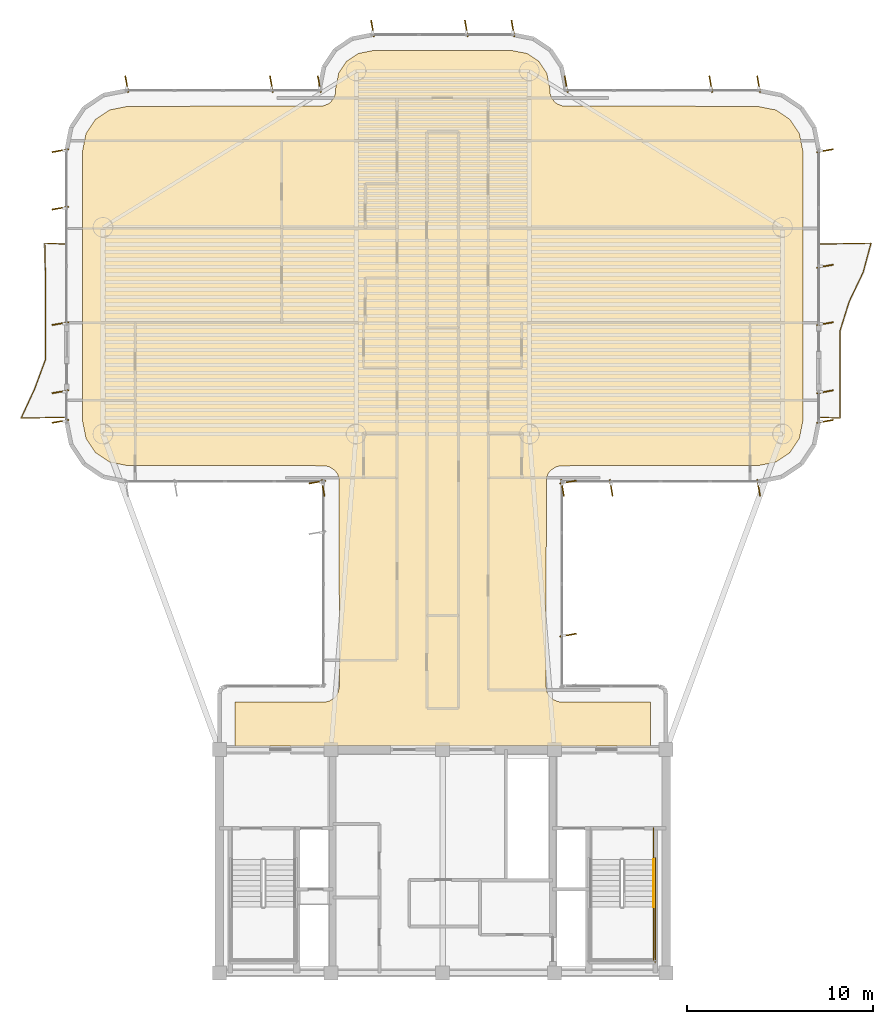
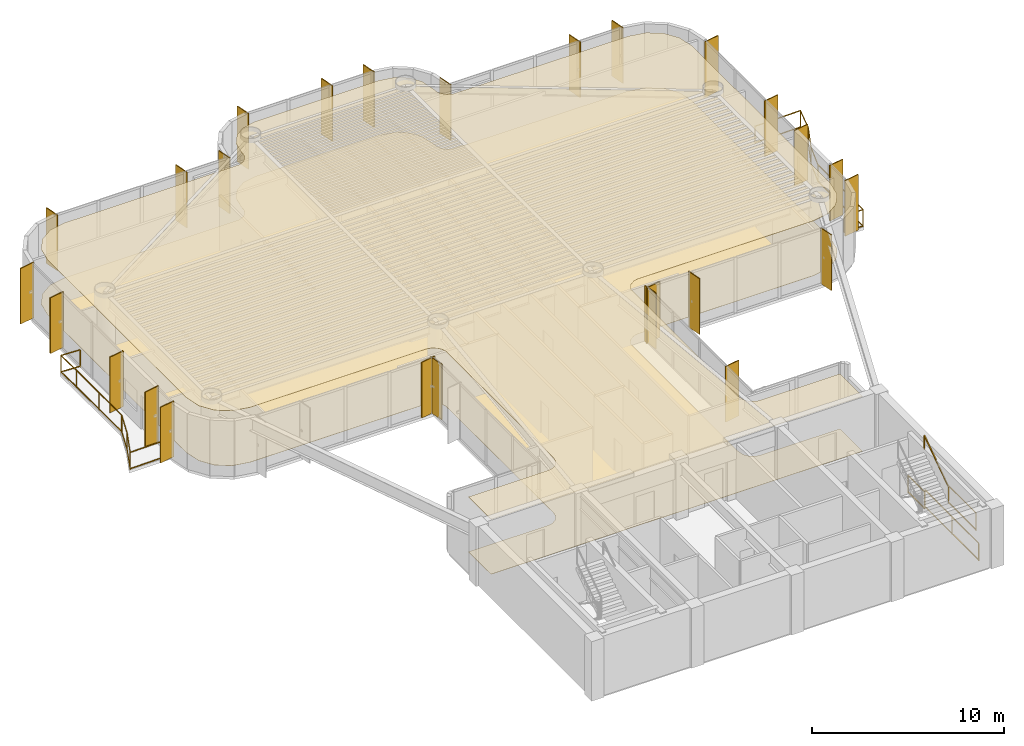
# One storey, part 14 of 14: 26 shading devices, 6 railings, 2 coverings.
"""IFC4 building model written with IfcOpenShell, lengths in metres."""

from ifc_helpers import new_model, si_unit, direction, frame, origin, origin_2d, place, context, subcontext, project, spatial, polyline, rectangle, outline, extrude, source, transform, mapped, material, layer, layer_set, material_profile, profile_set, type_object, element, save


model = new_model("IFC4")

# Units and contexts
model_context = context("Model", 3, precision=1e-05, world=origin(), true_north=direction((0.0, 1.0)))
body_context = subcontext(model_context, "Body", "Model", "MODEL_VIEW")
ifc_project = project(units=[si_unit("LENGTHUNIT", "METRE"), si_unit("AREAUNIT", "SQUARE_METRE"), si_unit("VOLUMEUNIT", "CUBIC_METRE"), si_unit("PLANEANGLEUNIT", "RADIAN"), si_unit("MASSUNIT", "GRAM", prefix="KILO")], contexts=[model_context])

# Site, building, storey
site_placement = place(None, origin())
site = spatial("IfcSite", under=ifc_project, at=site_placement, CompositionType="ELEMENT")
building_placement = place(site_placement, origin())
building = spatial("IfcBuilding", under=site, at=building_placement, Name="Brelvock Crest Care Tower", CompositionType="ELEMENT")
storey_placement = place(building_placement, frame((0.0, 0.0, 205.56005859375)))
storey = spatial("IfcBuildingStorey", under=building, at=storey_placement, Name="L52", CompositionType="ELEMENT", Elevation=205.56005859375)

# Coverings
ifc_material_1 = material(Name="Mineral Fibre Acoustic Ceiling Tile", Category="gypsum")
ifc_layer_1 = layer(ifc_material_1, 0.02490234375, Name="COV-CLG1")
ifc_layer_set_1 = layer_set([ifc_layer_1], Name="Mineral Fibre Acoustic Ceiling Tile")
covering_type_1 = type_object("IfcCoveringType", Name="COV-CLG1", PredefinedType="CEILING", material=ifc_layer_set_1)
covering_1_placement = place(storey_placement, frame((0.0, 0.0, 3.474853515625)))
element("IfcCovering", 1, at=covering_1_placement, inside=storey, type_object=covering_type_1, Name="L52 Acoustic Suspended Ceiling 1", PredefinedType="CEILING", context=body_context, shape_type="SweptSolid", body=[
    extrude(outline(polyline([(24.85009765625, 18.199951171875), (47.14990234375, 18.199951171875), (47.14990234375, 20.550048828125), (42.316650390625, 20.55419921875), (42.1533203125, 20.586669921875), (41.927734375, 20.693359375), (41.742919921875, 20.86083984375), (41.61474609375, 21.07470703125), (41.550048828125, 21.39990234375), (41.56640625, 32.56591796875), (41.650390625, 32.80078125), (41.799072265625, 33.0009765625), (42.07470703125, 33.185302734375), (42.316650390625, 33.245849609375), (52.916259765625, 33.25), (53.892822265625, 33.4443359375), (54.64990234375, 33.9501953125), (55.15576171875, 34.70703125), (55.35009765625, 35.68359375), (55.35009765625, 50.1162109375), (55.15576171875, 51.093017578125), (54.64990234375, 51.849853515625), (53.892822265625, 52.355712890625), (52.916259765625, 52.550048828125), (42.43408203125, 52.56640625), (42.127685546875, 52.693359375), (41.9990234375, 52.799072265625), (41.850341796875, 52.999267578125), (41.766357421875, 53.234130859375), (41.75, 53.516357421875), (41.586181640625, 54.33984375), (41.1669921875, 54.967041015625), (40.539794921875, 55.38623046875), (39.71630859375, 55.550048828125), (32.28369140625, 55.550048828125), (31.460205078125, 55.38623046875), (30.8330078125, 54.967041015625), (30.413818359375, 54.33984375), (30.25, 53.516357421875), (30.233642578125, 53.234130859375), (30.149658203125, 52.999267578125), (30.0009765625, 52.799072265625), (29.872314453125, 52.693359375), (29.56591796875, 52.56640625), (19.083740234375, 52.550048828125), (18.107177734375, 52.355712890625), (17.35009765625, 51.849853515625), (16.84423828125, 51.093017578125), (16.64990234375, 50.1162109375), (16.64990234375, 35.68359375), (16.84423828125, 34.70703125), (17.35009765625, 33.9501953125), (18.107177734375, 33.4443359375), (19.083740234375, 33.25), (29.683349609375, 33.245849609375), (29.92529296875, 33.185302734375), (30.200927734375, 33.0009765625), (30.349609375, 32.80078125), (30.43359375, 32.56591796875), (30.449951171875, 21.39990234375), (30.38525390625, 21.07470703125), (30.257080078125, 20.86083984375), (30.13916015625, 20.742919921875), (29.92529296875, 20.61474609375), (29.683349609375, 20.55419921875), (24.85009765625, 20.550048828125), (24.85009765625, 18.199951171875)])), origin(), (0.0, 0.0, 1.0), 0.025146484375),
])
ifc_material_2 = material(Name="Slip-Resistant Acoustic Vinyl Flooring", Category="finish")
ifc_layer_2 = layer(ifc_material_2, 0.014892578125, Name="COV-FLR1")
ifc_layer_set_2 = layer_set([ifc_layer_2], Name="Slip-Resistant Acoustic Vinyl Flooring")
covering_type_2 = type_object("IfcCoveringType", Name="COV-FLR1", PredefinedType="FLOORING", material=ifc_layer_set_2)
covering_2_placement = place(storey_placement, origin())
element("IfcCovering", 2, at=covering_2_placement, inside=storey, type_object=covering_type_2, Name="L52 Slip-Resistant Acoustic Flooring 1", PredefinedType="FLOORING", context=body_context, shape_type="SweptSolid", body=[
    extrude(outline(polyline([(24.85009765625, 18.199951171875), (47.14990234375, 18.199951171875), (47.14990234375, 20.550048828125), (42.316650390625, 20.55419921875), (42.1533203125, 20.586669921875), (41.927734375, 20.693359375), (41.742919921875, 20.86083984375), (41.61474609375, 21.07470703125), (41.550048828125, 21.39990234375), (41.56640625, 32.56591796875), (41.650390625, 32.80078125), (41.799072265625, 33.0009765625), (42.07470703125, 33.185302734375), (42.316650390625, 33.245849609375), (52.916259765625, 33.25), (53.892822265625, 33.4443359375), (54.64990234375, 33.9501953125), (55.15576171875, 34.70703125), (55.35009765625, 35.68359375), (55.35009765625, 50.1162109375), (55.15576171875, 51.093017578125), (54.64990234375, 51.849853515625), (53.892822265625, 52.355712890625), (52.916259765625, 52.550048828125), (42.43408203125, 52.56640625), (42.127685546875, 52.693359375), (41.9990234375, 52.799072265625), (41.850341796875, 52.999267578125), (41.766357421875, 53.234130859375), (41.75, 53.516357421875), (41.586181640625, 54.33984375), (41.1669921875, 54.967041015625), (40.539794921875, 55.38623046875), (39.71630859375, 55.550048828125), (32.28369140625, 55.550048828125), (31.460205078125, 55.38623046875), (30.8330078125, 54.967041015625), (30.413818359375, 54.33984375), (30.25, 53.516357421875), (30.233642578125, 53.234130859375), (30.149658203125, 52.999267578125), (30.0009765625, 52.799072265625), (29.872314453125, 52.693359375), (29.56591796875, 52.56640625), (19.083740234375, 52.550048828125), (18.107177734375, 52.355712890625), (17.35009765625, 51.849853515625), (16.84423828125, 51.093017578125), (16.64990234375, 50.1162109375), (16.64990234375, 35.68359375), (16.84423828125, 34.70703125), (17.35009765625, 33.9501953125), (18.107177734375, 33.4443359375), (19.083740234375, 33.25), (29.683349609375, 33.245849609375), (29.92529296875, 33.185302734375), (30.200927734375, 33.0009765625), (30.349609375, 32.80078125), (30.43359375, 32.56591796875), (30.449951171875, 21.39990234375), (30.38525390625, 21.07470703125), (30.257080078125, 20.86083984375), (30.13916015625, 20.742919921875), (29.92529296875, 20.61474609375), (29.683349609375, 20.55419921875), (24.85009765625, 20.550048828125), (24.85009765625, 18.199951171875)])), origin(), (0.0, 0.0, 1.0), 0.014892578125),
])

# Railings
ifc_material_3 = material(Name="Dark Glass Double Glazed Low-E", Category="glass")
ifc_layer_3 = layer(ifc_material_3, 0.06005859375, Name="RL-BAL1")
ifc_layer_set_3 = layer_set([ifc_layer_3], Name="Dark Glass Double Glazed Low-E")
railing_type_1 = type_object("IfcRailingType", Name="RL-BAL1", PredefinedType="BALUSTRADE", material=ifc_layer_set_3)
railing_1_placement = place(storey_placement, frame((15.760009765625, 35.85009765625, 0.00390625)))
element("IfcRailing", 3, at=railing_1_placement, inside=storey, type_object=railing_type_1, Name="L52 Safety Balustrade WB-W", PredefinedType="BALUSTRADE", context=body_context, shape_type="SweptSolid", body=[
    extrude(rectangle(XDim=0.048095703125, YDim=0.048095703125, at=origin_2d()), frame((-0.001953125, 0.0, 1.09619140625), z_axis=(-0.999783452903, -0.020809788592, 0.0), x_axis=(0.020809788592, -0.999783452903, 0.0)), (0.0, 0.0, 1.0), 2.401123046875),
    extrude(rectangle(XDim=0.048095703125, YDim=0.048095703125, at=origin_2d()), frame((-0.001953125, 0.0, 0.054931640625), z_axis=(-0.999783452903, -0.020809788592, 0.0), x_axis=(0.020809788592, -0.999783452903, 0.0)), (0.0, 0.0, 1.0), 2.401123046875),
    extrude(rectangle(XDim=0.048095703125, YDim=0.048095703125, at=origin_2d()), frame((-2.40380859375, -0.04833984375, 1.09619140625), z_axis=(0.42037583984, 0.907350072066, 0.0), x_axis=(-0.907350072066, 0.42037583984, 0.0)), (0.0, 0.0, 1.0), 1.72265625),
    extrude(rectangle(XDim=0.048095703125, YDim=0.048095703125, at=origin_2d()), frame((-2.40380859375, -0.04833984375, 0.054931640625), z_axis=(0.42037583984, 0.907350072066, 0.0), x_axis=(-0.907350072066, 0.42037583984, 0.0)), (0.0, 0.0, 1.0), 1.72265625),
    extrude(rectangle(XDim=0.048095703125, YDim=0.048095703125, at=origin_2d()), frame((-1.677978515625, 1.5185546875, 1.09619140625), z_axis=(0.346457206502, 0.938065778111, 0.0), x_axis=(-0.938065778111, 0.346457206502, 0.0)), (0.0, 0.0, 1.0), 1.666015625),
    extrude(rectangle(XDim=0.048095703125, YDim=0.048095703125, at=origin_2d()), frame((-1.677978515625, 1.5185546875, 0.054931640625), z_axis=(0.346457206502, 0.938065778111, 0.0), x_axis=(-0.938065778111, 0.346457206502, 0.0)), (0.0, 0.0, 1.0), 1.666015625),
    extrude(rectangle(XDim=0.048095703125, YDim=0.048095703125, at=origin_2d()), frame((-1.10009765625, 3.085205078125, 1.09619140625), z_axis=(0.0, 1.0, 0.0), x_axis=(-1.0, 0.0, 0.0)), (0.0, 0.0, 1.0), 4.696044921875),
    extrude(rectangle(XDim=0.048095703125, YDim=0.048095703125, at=origin_2d()), frame((-1.10009765625, 3.085205078125, 0.054931640625), z_axis=(0.0, 1.0, 0.0), x_axis=(-1.0, 0.0, 0.0)), (0.0, 0.0, 1.0), 4.696044921875),
    extrude(rectangle(XDim=0.048095703125, YDim=0.048095703125, at=origin_2d()), frame((-1.10009765625, 7.78515625, 1.09619140625), z_axis=(-0.022123304576, 0.999755249746, 0.0), x_axis=(-0.999755249746, -0.022123304576, 0.0)), (0.0, 0.0, 1.0), 1.56298828125),
    extrude(rectangle(XDim=0.048095703125, YDim=0.048095703125, at=origin_2d()), frame((-1.10009765625, 7.78515625, 0.054931640625), z_axis=(-0.022123304576, 0.999755249746, 0.0), x_axis=(-0.999755249746, -0.022123304576, 0.0)), (0.0, 0.0, 1.0), 1.56298828125),
    extrude(rectangle(XDim=0.048095703125, YDim=0.048095703125, at=origin_2d()), frame((-1.1328125, 9.349853515625, 1.09619140625), z_axis=(0.99902879157, -0.044062156255, 0.0), x_axis=(0.044062156255, 0.99902879157, 0.0)), (0.0, 0.0, 1.0), 1.1318359375),
    extrude(rectangle(XDim=0.048095703125, YDim=0.048095703125, at=origin_2d()), frame((-1.1328125, 9.349853515625, 0.054931640625), z_axis=(0.99902879157, -0.044062156255, 0.0), x_axis=(0.044062156255, 0.99902879157, 0.0)), (0.0, 0.0, 1.0), 1.1318359375),
    extrude(rectangle(XDim=0.0419921875, YDim=0.0419921875, at=origin_2d()), origin(), (0.0, 0.0, 1.0), 1.070068359375),
    extrude(rectangle(XDim=0.0419921875, YDim=0.0419921875, at=origin_2d()), frame((-2.404541015625, -0.050048828125, 0.0)), (0.0, 0.0, 1.0), 1.070068359375),
    extrude(rectangle(XDim=0.0419921875, YDim=0.0419921875, at=origin_2d()), frame((-1.6787109375, 1.5166015625, 0.0)), (0.0, 0.0, 1.0), 1.070068359375),
    extrude(rectangle(XDim=0.0419921875, YDim=0.0419921875, at=origin_2d()), frame((-1.10009765625, 3.083251953125, 0.0)), (0.0, 0.0, 1.0), 1.070068359375),
    extrude(rectangle(XDim=0.0419921875, YDim=0.0419921875, at=origin_2d()), frame((-1.10009765625, 5.43310546875, 0.0)), (0.0, 0.0, 1.0), 1.070068359375),
    extrude(rectangle(XDim=0.0419921875, YDim=0.0419921875, at=origin_2d()), frame((-1.10009765625, 7.783203125, 0.0)), (0.0, 0.0, 1.0), 1.070068359375),
    extrude(rectangle(XDim=0.0419921875, YDim=0.0419921875, at=origin_2d()), frame((-1.134765625, 9.349853515625, 0.0)), (0.0, 0.0, 1.0), 1.070068359375),
    extrude(rectangle(XDim=0.0419921875, YDim=0.0419921875, at=origin_2d()), frame((0.0, 9.2998046875, 0.0)), (0.0, 0.0, 1.0), 1.070068359375),
])
railing_2_placement = place(storey_placement, frame((56.239990234375, 35.85009765625, 0.00390625)))
element("IfcRailing", 4, at=railing_2_placement, inside=storey, type_object=railing_type_1, Name="L52 Safety Balustrade WB-E", PredefinedType="BALUSTRADE", context=body_context, shape_type="SweptSolid", body=[
    extrude(rectangle(XDim=0.048095703125, YDim=0.048095703125, at=origin_2d()), frame((0.001953125, 0.0, 1.09619140625), z_axis=(0.998966710972, -0.045447886318, 0.0), x_axis=(0.045447886318, 0.998966710972, 0.0)), (0.0, 0.0, 1.0), 1.09716796875),
    extrude(rectangle(XDim=0.048095703125, YDim=0.048095703125, at=origin_2d()), frame((0.001953125, 0.0, 0.054931640625), z_axis=(0.998966710972, -0.045447886318, 0.0), x_axis=(0.045447886318, 0.998966710972, 0.0)), (0.0, 0.0, 1.0), 1.09716796875),
    extrude(rectangle(XDim=0.048095703125, YDim=0.048095703125, at=origin_2d()), frame((1.10009765625, -0.048095703125, 1.09619140625), z_axis=(0.0, 1.0, 0.0), x_axis=(-1.0, 0.0, 0.0)), (0.0, 0.0, 1.0), 4.696044921875),
    extrude(rectangle(XDim=0.048095703125, YDim=0.048095703125, at=origin_2d()), frame((1.10009765625, -0.048095703125, 0.054931640625), z_axis=(0.0, 1.0, 0.0), x_axis=(-1.0, 0.0, 0.0)), (0.0, 0.0, 1.0), 4.696044921875),
    extrude(rectangle(XDim=0.048095703125, YDim=0.048095703125, at=origin_2d()), frame((1.1005859375, 4.65185546875, 1.09619140625), z_axis=(0.299045409221, 0.954238881635, 0.0), x_axis=(-0.954238881635, 0.299045409221, 0.0)), (0.0, 0.0, 1.0), 1.6376953125),
    extrude(rectangle(XDim=0.048095703125, YDim=0.048095703125, at=origin_2d()), frame((1.1005859375, 4.65185546875, 0.054931640625), z_axis=(0.299045409221, 0.954238881635, 0.0), x_axis=(-0.954238881635, 0.299045409221, 0.0)), (0.0, 0.0, 1.0), 1.6376953125),
    extrude(rectangle(XDim=0.048095703125, YDim=0.048095703125, at=origin_2d()), frame((1.592041015625, 6.21826171875, 1.09619140625), z_axis=(0.431341072298, 0.902188937723, 0.0), x_axis=(-0.902188937723, 0.431341072298, 0.0)), (0.0, 0.0, 1.0), 1.732421875),
    extrude(rectangle(XDim=0.048095703125, YDim=0.048095703125, at=origin_2d()), frame((1.592041015625, 6.21826171875, 0.054931640625), z_axis=(0.431341072298, 0.902188937723, 0.0), x_axis=(-0.902188937723, 0.431341072298, 0.0)), (0.0, 0.0, 1.0), 1.732421875),
    extrude(rectangle(XDim=0.048095703125, YDim=0.048095703125, at=origin_2d()), frame((2.340576171875, 7.78515625, 1.09619140625), z_axis=(0.26044287182, 0.96548925966, 0.0), x_axis=(-0.96548925966, 0.26044287182, 0.0)), (0.0, 0.0, 1.0), 1.61865234375),
    extrude(rectangle(XDim=0.048095703125, YDim=0.048095703125, at=origin_2d()), frame((2.340576171875, 7.78515625, 0.054931640625), z_axis=(0.26044287182, 0.96548925966, 0.0), x_axis=(-0.96548925966, 0.26044287182, 0.0)), (0.0, 0.0, 1.0), 1.61865234375),
    extrude(rectangle(XDim=0.048095703125, YDim=0.048095703125, at=origin_2d()), frame((2.7607421875, 9.349853515625, 1.09619140625), z_axis=(-0.999835946701, -0.018112970049, 0.0), x_axis=(0.018112970049, -0.999835946701, 0.0)), (0.0, 0.0, 1.0), 2.759033203125),
    extrude(rectangle(XDim=0.048095703125, YDim=0.048095703125, at=origin_2d()), frame((2.7607421875, 9.349853515625, 0.054931640625), z_axis=(-0.999835946701, -0.018112970049, 0.0), x_axis=(0.018112970049, -0.999835946701, 0.0)), (0.0, 0.0, 1.0), 2.759033203125),
    extrude(rectangle(XDim=0.0419921875, YDim=0.0419921875, at=origin_2d()), origin(), (0.0, 0.0, 1.0), 1.070068359375),
    extrude(rectangle(XDim=0.0419921875, YDim=0.0419921875, at=origin_2d()), frame((1.10009765625, -0.050048828125, 0.0)), (0.0, 0.0, 1.0), 1.070068359375),
    extrude(rectangle(XDim=0.0419921875, YDim=0.0419921875, at=origin_2d()), frame((1.10009765625, 2.2998046875, 0.0)), (0.0, 0.0, 1.0), 1.070068359375),
    extrude(rectangle(XDim=0.0419921875, YDim=0.0419921875, at=origin_2d()), frame((1.10009765625, 4.64990234375, 0.0)), (0.0, 0.0, 1.0), 1.070068359375),
    extrude(rectangle(XDim=0.0419921875, YDim=0.0419921875, at=origin_2d()), frame((1.591064453125, 6.216552734375, 0.0)), (0.0, 0.0, 1.0), 1.070068359375),
    extrude(rectangle(XDim=0.0419921875, YDim=0.0419921875, at=origin_2d()), frame((2.340087890625, 7.783203125, 0.0)), (0.0, 0.0, 1.0), 1.070068359375),
    extrude(rectangle(XDim=0.0419921875, YDim=0.0419921875, at=origin_2d()), frame((2.7626953125, 9.349853515625, 0.0)), (0.0, 0.0, 1.0), 1.070068359375),
    extrude(rectangle(XDim=0.0419921875, YDim=0.0419921875, at=origin_2d()), frame((0.0, 9.2998046875, 0.0)), (0.0, 0.0, 1.0), 1.070068359375),
])
ifc_material_4 = material(Name="Steel Grade 350", Category="steel")
ifc_layer_4 = layer(ifc_material_4, 0.050048828125, Name="RL-STG1")
ifc_layer_set_4 = layer_set([ifc_layer_4], Name="Steel Grade 350")
railing_type_2 = type_object("IfcRailingType", Name="RL-STG1", PredefinedType="GUARDRAIL", material=ifc_layer_set_4)
railing_3_placement = place(storey_placement, frame((47.320068359375, 9.56005859375, 1.889892578125)))
element("IfcRailing", 5, at=railing_3_placement, inside=storey, type_object=railing_type_2, Name="L52 ST-2 stair guard 4", PredefinedType="GUARDRAIL", context=body_context, shape_type="SweptSolid", body=[
    extrude(rectangle(XDim=0.048095703125, YDim=0.048095703125, at=origin_2d()), frame((0.0, -0.001953125, 1.11572265625), z_axis=(0.0, -1.0, 0.0), x_axis=(1.0, 0.0, 0.0)), (0.0, 0.0, 1.0), 2.856201171875),
    extrude(rectangle(XDim=0.048095703125, YDim=0.048095703125, at=origin_2d()), frame((0.0, -0.001953125, 0.054931640625), z_axis=(0.0, -1.0, 0.0), x_axis=(1.0, 0.0, 0.0)), (0.0, 0.0, 1.0), 2.856201171875),
    extrude(rectangle(XDim=0.0419921875, YDim=0.0419921875, at=origin_2d()), origin(), (0.0, 0.0, 1.0), 1.08984375),
    extrude(rectangle(XDim=0.0419921875, YDim=0.0419921875, at=origin_2d()), frame((0.0, -2.860107421875, 0.0)), (0.0, 0.0, 1.0), 1.08984375),
])
railing_4_placement = place(storey_placement, frame((47.320068359375, 13.780029296875, 0.0)))
element("IfcRailing", 6, at=railing_4_placement, inside=storey, type_object=railing_type_2, Name="L52 ST-2 stair guard 9", PredefinedType="GUARDRAIL", context=body_context, shape_type="SweptSolid", body=[
    extrude(rectangle(XDim=0.048095703125, YDim=0.048095703125, at=origin_2d()), frame((0.0, -0.001953125, 1.11572265625), z_axis=(0.0, -1.0, 0.0), x_axis=(1.0, 0.0, 0.0)), (0.0, 0.0, 1.0), 1.696044921875),
    extrude(rectangle(XDim=0.048095703125, YDim=0.048095703125, at=origin_2d()), frame((0.0, -0.001953125, 0.054931640625), z_axis=(0.0, -1.0, 0.0), x_axis=(1.0, 0.0, 0.0)), (0.0, 0.0, 1.0), 1.696044921875),
    extrude(rectangle(XDim=0.0419921875, YDim=0.0419921875, at=origin_2d()), origin(), (0.0, 0.0, 1.0), 1.08984375),
    extrude(rectangle(XDim=0.0419921875, YDim=0.0419921875, at=origin_2d()), frame((0.0, -1.699951171875, 0.0)), (0.0, 0.0, 1.0), 1.08984375),
])
railing_5_placement = place(storey_placement, frame((47.419921875, 12.179931640625, 0.0)))
element("IfcRailing", 7, at=railing_5_placement, inside=storey, type_object=railing_type_2, Name="L52 ST-2 stair guard 11", PredefinedType="GUARDRAIL", context=body_context, shape_type="SweptSolid", body=[
    extrude(rectangle(XDim=0.048095703125, YDim=0.048095703125, at=origin_2d()), frame((0.0, -0.001953125, 1.11572265625), z_axis=(0.0, -1.0, 0.0), x_axis=(1.0, 0.0, 0.0)), (0.0, 0.0, 1.0), 5.575927734375),
    extrude(rectangle(XDim=0.048095703125, YDim=0.048095703125, at=origin_2d()), frame((0.0, -0.001953125, 0.054931640625), z_axis=(0.0, -1.0, 0.0), x_axis=(1.0, 0.0, 0.0)), (0.0, 0.0, 1.0), 5.575927734375),
    extrude(rectangle(XDim=0.0419921875, YDim=0.0419921875, at=origin_2d()), origin(), (0.0, 0.0, 1.0), 1.08984375),
    extrude(rectangle(XDim=0.0419921875, YDim=0.0419921875, at=origin_2d()), frame((0.0, -2.7900390625, 0.0)), (0.0, 0.0, 1.0), 1.08984375),
    extrude(rectangle(XDim=0.0419921875, YDim=0.0419921875, at=origin_2d()), frame((0.0, -5.579833984375, 0.0)), (0.0, 0.0, 1.0), 1.08984375),
])
ifc_layer_5 = layer(ifc_material_4, 0.048095703125, Name="RL-STH1")
ifc_layer_set_5 = layer_set([ifc_layer_5], Name="Steel Grade 350")
railing_type_3 = type_object("IfcRailingType", Name="RL-STH1", PredefinedType="HANDRAIL", material=ifc_layer_set_5)
railing_6_placement = place(storey_placement, frame((47.320068359375, 9.56005859375, 2.078857421875)))
element("IfcRailing", 8, at=railing_6_placement, inside=storey, type_object=railing_type_3, Name="L52 ST-2 stair handrail 2", PredefinedType="HANDRAIL", context=body_context, shape_type="SweptSolid", body=[
    extrude(rectangle(XDim=0.048095703125, YDim=0.048095703125, at=origin_2d()), frame((0.0, 0.001708984375, 0.876953125), z_axis=(0.0, 0.82882447046, 0.559508710537), x_axis=(-1.0, 0.0, 0.0)), (0.0, 0.0, 1.0), 3.036376953125),
    extrude(rectangle(XDim=0.0419921875, YDim=0.0419921875, at=origin_2d()), origin(), (0.0, 0.0, 1.0), 0.849853515625),
    extrude(rectangle(XDim=0.0419921875, YDim=0.0419921875, at=origin_2d()), frame((0.0, 2.52001953125, 1.701171875)), (0.0, 0.0, 1.0), 0.849853515625),
])

# Shading devices
ifc_material_5 = material(Name="Aluminium 6063-T6", Category="aluminium")
ifc_material_profile = material_profile(ifc_material_5, rectangle(XDim=0.054931640625, YDim=0.89990234375, at=origin_2d()), Name="FIN55x900")
ifc_profile_set = profile_set([ifc_material_profile], Name="Aluminium 6063-T6")
shading_device_type = type_object("IfcShadingDeviceType", Name="SHD-FIN1", PredefinedType="USERDEFINED", material=ifc_profile_set)
shared_shape = source(origin(), body_context, "Body", "SweptSolid", [
    extrude(rectangle(XDim=0.054931640625, YDim=0.89990234375, at=origin_2d()), origin(), (0.0, 0.0, 1.0), 3.530029296875),
])
for number, where, z_axis, x_axis, name in (
    (9, (29.260009765625, 32.3701171875, 0.0), (0.0, 0.0, 1.0), (-0.173648177667, 0.984807753012, 0.0), "L52 Vertical Sunshade Fin E11-05"),
    (10, (29.570068359375, 32.06005859375, 0.0), (0.0, 0.0, 1.0), (-0.984807753012, -0.173648177667, 0.0), "L52 Vertical Sunshade Fin E12-01"),
    (11, (15.4599609375, 35.6298828125, 0.0), (0.0, 0.0, 1.0), (-0.173648177667, 0.984807753012, 0.0), "L52 Vertical Sunshade Fin E17A-01"),
    (12, (15.4599609375, 37.219970703125, 0.0), (0.0, 0.0, 1.0), (-0.173648177667, 0.984807753012, 0.0), "L52 Vertical Sunshade Fin E17A-02"),
    (13, (15.4599609375, 40.8798828125, 0.0), (0.0, 0.0, 1.0), (-0.173648177667, 0.984807753012, 0.0), "L52 Vertical Sunshade Fin E17B-01"),
    (14, (15.4599609375, 47.083251953125, 0.0), (0.0, 0.0, 1.0), (-0.173648177667, 0.984807753012, 0.0), "L52 Vertical Sunshade Fin E17B-03"),
    (15, (15.4599609375, 50.169921875, 0.0), (0.0, 0.0, 1.0), (-0.173648177667, 0.984807753012, 0.0), "L52 Vertical Sunshade Fin E17B-04"),
    (16, (19.030029296875, 53.739990234375, 0.0), (0.0, 0.0, 1.0), (0.984807753012, 0.173648177667, 0.0), "L52 Vertical Sunshade Fin E22-01"),
    (17, (26.800048828125, 53.739990234375, 0.0), (0.0, 0.0, 1.0), (0.984807753012, 0.173648177667, 0.0), "L52 Vertical Sunshade Fin E22-04"),
    (18, (29.3701171875, 53.739990234375, 0.0), (0.0, 0.0, 1.0), (0.984807753012, 0.173648177667, 0.0), "L52 Vertical Sunshade Fin E22-05"),
    (19, (32.22998046875, 56.739990234375, 0.0), (0.0, 0.0, 1.0), (0.984807753012, 0.173648177667, 0.0), "L52 Vertical Sunshade Fin E28-01"),
    (20, (37.2666015625, 56.739990234375, 0.0), (0.0, 0.0, 1.0), (0.984807753012, 0.173648177667, 0.0), "L52 Vertical Sunshade Fin E28-03"),
    (21, (39.77001953125, 56.739990234375, 0.0), (0.0, 0.0, 1.0), (0.984807753012, 0.173648177667, 0.0), "L52 Vertical Sunshade Fin E28-04"),
    (22, (42.6298828125, 53.739990234375, 0.0), (0.0, 0.0, 1.0), (0.984807753012, 0.173648177667, 0.0), "L52 Vertical Sunshade Fin E34-01"),
    (23, (50.39990234375, 53.739990234375, 0.0), (0.0, 0.0, 1.0), (0.984807753012, 0.173648177667, 0.0), "L52 Vertical Sunshade Fin E34-04"),
    (24, (52.969970703125, 53.739990234375, 0.0), (0.0, 0.0, 1.0), (0.984807753012, 0.173648177667, 0.0), "L52 Vertical Sunshade Fin E34-05"),
    (25, (56.5400390625, 50.169921875, 0.0), (0.0, 0.0, 1.0), (0.173648177667, -0.984807753012, 0.0), "L52 Vertical Sunshade Fin E39A-01"),
    (26, (56.5400390625, 43.966796875, 0.0), (0.0, 0.0, 1.0), (0.173648177667, -0.984807753012, 0.0), "L52 Vertical Sunshade Fin E39A-03"),
    (27, (56.5400390625, 40.8798828125, 0.0), (0.0, 0.0, 1.0), (0.173648177667, -0.984807753012, 0.0), "L52 Vertical Sunshade Fin E39A-04"),
    (28, (56.5400390625, 37.219970703125, 0.0), (0.0, 0.0, 1.0), (0.173648177667, -0.984807753012, 0.0), "L52 Vertical Sunshade Fin E39B-01"),
    (29, (56.5400390625, 35.6298828125, 0.0), (0.0, 0.0, 1.0), (0.173648177667, -0.984807753012, 0.0), "L52 Vertical Sunshade Fin E39B-02"),
    (30, (52.969970703125, 32.06005859375, 0.0), (0.0, 0.0, 1.0), (-0.984807753012, -0.173648177667, 0.0), "L52 Vertical Sunshade Fin E44-01"),
    (31, (45.050048828125, 32.06005859375, 0.0), (0.0, 0.0, 1.0), (-0.984807753012, -0.173648177667, 0.0), "L52 Vertical Sunshade Fin E44-04"),
    (32, (42.429931640625, 32.06005859375, 0.0), (0.0, 0.0, 1.0), (-0.984807753012, -0.173648177667, 0.0), "L52 Vertical Sunshade Fin E44-05"),
    (33, (42.739990234375, 32.3701171875, 0.0), (0.0, 0.0, 1.0), (0.173648177667, -0.984807753012, 0.0), "L52 Vertical Sunshade Fin E45-01"),
    (34, (42.739990234375, 24.14990234375, 0.0), (0.0, 0.0, 1.0), (0.173648177667, -0.984807753012, 0.0), "L52 Vertical Sunshade Fin E45-04"),
):
    element("IfcShadingDevice", number, at=place(storey_placement, frame(where, z_axis=z_axis, x_axis=x_axis)), inside=storey, type_object=shading_device_type, Name=name, ObjectType="FIN", PredefinedType="USERDEFINED", context=body_context, shape_type="MappedRepresentation", body=[
        mapped(shared_shape, transform((0.0, 0.0, 0.0), x_axis=(1.0, 0.0, 0.0), y_axis=(0.0, 1.0, 0.0), z_axis=(0.0, 0.0, 1.0), scale=1.0)),
    ])

save(model, "model.ifc")
